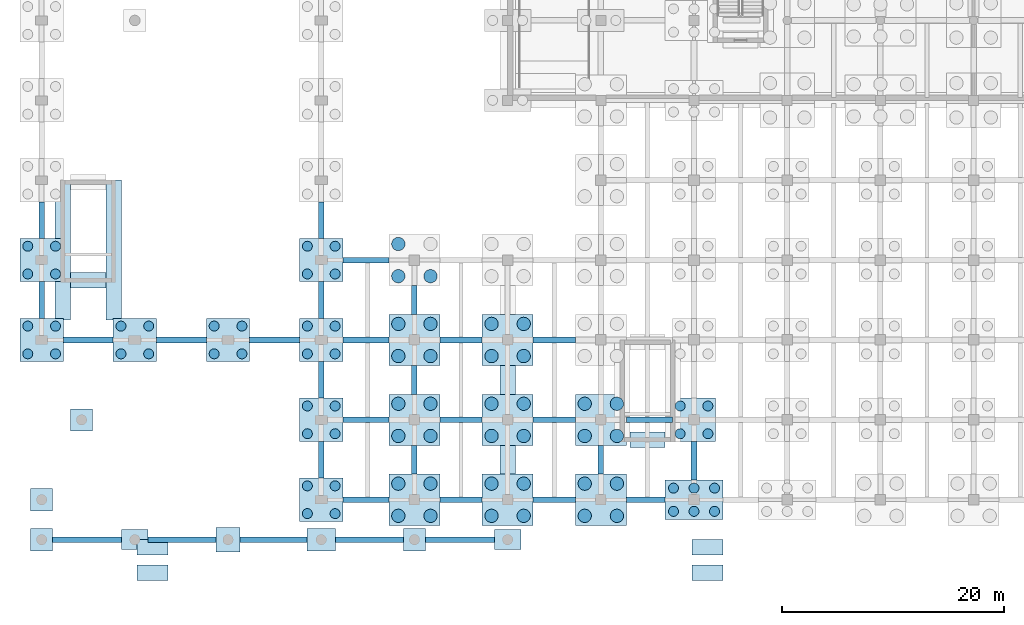
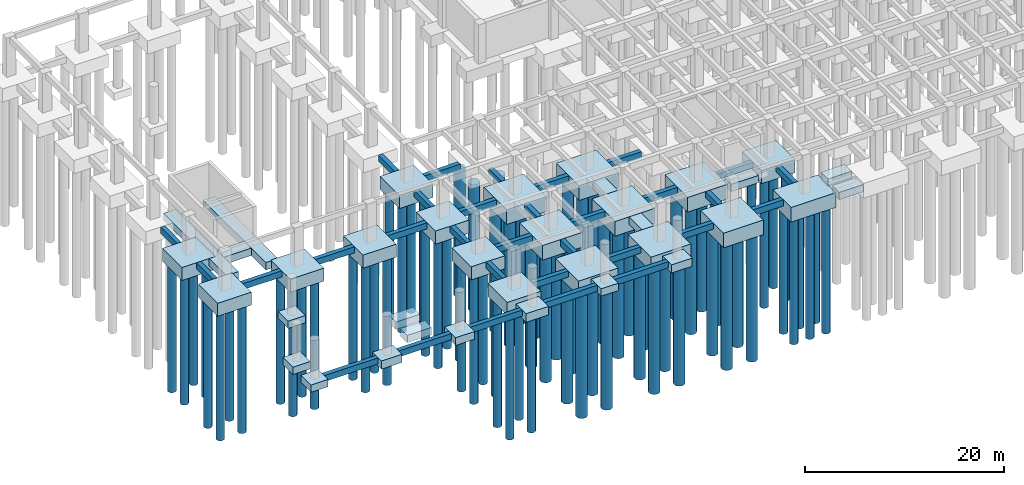
# One storey, part 1 of 26: 77 piles, 67 footings.
"""IFC4 building model written with IfcOpenShell, lengths in metres."""

from ifc_helpers import new_model, si_unit, direction, frame, origin, origin_2d, place, context, subcontext, project, spatial, rectangle, circle, extrude, material, material_profile, profile_set, type_object, element, save


model = new_model("IFC4")

# Units and contexts
model_context = context("Model", 3, precision=1e-05, world=origin(), true_north=direction((0.0, 1.0)))
body_context = subcontext(model_context, "Body", "Model", "MODEL_VIEW")
ifc_project = project(units=[si_unit("LENGTHUNIT", "METRE"), si_unit("AREAUNIT", "SQUARE_METRE"), si_unit("VOLUMEUNIT", "CUBIC_METRE"), si_unit("PLANEANGLEUNIT", "RADIAN"), si_unit("MASSUNIT", "GRAM", prefix="KILO")], contexts=[model_context])

# Site, building, storey
site_placement = place(None, origin())
site = spatial("IfcSite", under=ifc_project, at=site_placement, CompositionType="ELEMENT")
building_placement = place(site_placement, origin())
building = spatial("IfcBuilding", under=site, at=building_placement, Name="Kenerak Square Central Library", CompositionType="ELEMENT")
storey_placement = place(building_placement, frame((0.0, 0.0, -4.800048828125)))
storey = spatial("IfcBuildingStorey", under=building, at=storey_placement, Name="B1", CompositionType="ELEMENT", Elevation=-4.800048828125)

# Piles
ifc_material = material(Name="Concrete C40/50", Category="concrete")
ifc_material_profile_1 = material_profile(ifc_material, circle(Radius=0.60009765625, at=origin_2d()), Name="BP D1200")
ifc_profile_set_1 = profile_set([ifc_material_profile_1], Name="Concrete C40/50")
pile_type_1 = type_object("IfcPileType", Name="Bored Pile D1200 C40/50", PredefinedType="BORED", material=ifc_profile_set_1)
for number, where, z_axis, x_axis, name in (
    (1, (40.14990234375, 15.35009765625, -1.699951171875), (0.0, 0.0, -1.0), (1.0, 0.0, 0.0), "Bored Pile BP-1200 0081"),
    (2, (43.050048828125, 15.35009765625, -1.699951171875), (0.0, 0.0, -1.0), (1.0, 0.0, 0.0), "Bored Pile BP-1200 0082"),
    (3, (40.14990234375, 18.25, -1.699951171875), (0.0, 0.0, -1.0), (1.0, 0.0, 0.0), "Bored Pile BP-1200 0083"),
    (4, (43.050048828125, 18.25, -1.699951171875), (0.0, 0.0, -1.0), (1.0, 0.0, 0.0), "Bored Pile BP-1200 0084"),
    (5, (40.14990234375, 22.550048828125, -1.699951171875), (0.0, 0.0, -1.0), (1.0, 0.0, 0.0), "Bored Pile BP-1200 0085"),
    (6, (43.050048828125, 22.550048828125, -1.699951171875), (0.0, 0.0, -1.0), (1.0, 0.0, 0.0), "Bored Pile BP-1200 0086"),
    (7, (40.14990234375, 25.449951171875, -1.699951171875), (0.0, 0.0, -1.0), (1.0, 0.0, 0.0), "Bored Pile BP-1200 0087"),
    (8, (43.050048828125, 25.449951171875, -1.699951171875), (0.0, 0.0, -1.0), (1.0, 0.0, 0.0), "Bored Pile BP-1200 0088"),
    (9, (40.14990234375, 29.75, -1.699951171875), (0.0, 0.0, -1.0), (1.0, 0.0, 0.0), "Bored Pile BP-1200 0089"),
    (10, (43.050048828125, 29.75, -1.699951171875), (0.0, 0.0, -1.0), (1.0, 0.0, 0.0), "Bored Pile BP-1200 0090"),
    (11, (40.14990234375, 32.64990234375, -1.699951171875), (0.0, 0.0, -1.0), (1.0, 0.0, 0.0), "Bored Pile BP-1200 0091"),
    (12, (43.050048828125, 32.64990234375, -1.699951171875), (0.0, 0.0, -1.0), (1.0, 0.0, 0.0), "Bored Pile BP-1200 0092"),
    (13, (40.14990234375, 36.949951171875, -1.699951171875), (0.0, 0.0, -1.0), (1.0, 0.0, 0.0), "Bored Pile BP-1200 0093"),
    (14, (43.050048828125, 36.949951171875, -1.699951171875), (0.0, 0.0, -1.0), (1.0, 0.0, 0.0), "Bored Pile BP-1200 0094"),
    (15, (40.14990234375, 39.85009765625, -1.699951171875), (0.0, 0.0, -1.0), (1.0, 0.0, 0.0), "Bored Pile BP-1200 0095"),
    (16, (48.550048828125, 15.35009765625, -1.699951171875), (0.0, 0.0, -1.0), (1.0, 0.0, 0.0), "Bored Pile BP-1200 0105"),
    (17, (51.449951171875, 15.35009765625, -1.699951171875), (0.0, 0.0, -1.0), (1.0, 0.0, 0.0), "Bored Pile BP-1200 0106"),
    (18, (48.550048828125, 18.25, -1.699951171875), (0.0, 0.0, -1.0), (1.0, 0.0, 0.0), "Bored Pile BP-1200 0107"),
    (19, (51.449951171875, 18.25, -1.699951171875), (0.0, 0.0, -1.0), (1.0, 0.0, 0.0), "Bored Pile BP-1200 0108"),
    (20, (48.550048828125, 22.550048828125, -1.699951171875), (0.0, 0.0, -1.0), (1.0, 0.0, 0.0), "Bored Pile BP-1200 0109"),
    (21, (51.449951171875, 22.550048828125, -1.699951171875), (0.0, 0.0, -1.0), (1.0, 0.0, 0.0), "Bored Pile BP-1200 0110"),
    (22, (48.550048828125, 25.449951171875, -1.699951171875), (0.0, 0.0, -1.0), (1.0, 0.0, 0.0), "Bored Pile BP-1200 0111"),
    (23, (51.449951171875, 25.449951171875, -1.699951171875), (0.0, 0.0, -1.0), (1.0, 0.0, 0.0), "Bored Pile BP-1200 0112"),
    (24, (48.550048828125, 29.75, -1.699951171875), (0.0, 0.0, -1.0), (1.0, 0.0, 0.0), "Bored Pile BP-1200 0113"),
    (25, (51.449951171875, 29.75, -1.699951171875), (0.0, 0.0, -1.0), (1.0, 0.0, 0.0), "Bored Pile BP-1200 0114"),
    (26, (48.550048828125, 32.64990234375, -1.699951171875), (0.0, 0.0, -1.0), (1.0, 0.0, 0.0), "Bored Pile BP-1200 0115"),
    (27, (51.449951171875, 32.64990234375, -1.699951171875), (0.0, 0.0, -1.0), (1.0, 0.0, 0.0), "Bored Pile BP-1200 0116"),
    (28, (56.949951171875, 15.35009765625, -1.699951171875), (0.0, 0.0, -1.0), (1.0, 0.0, 0.0), "Bored Pile BP-1200 0147"),
    (29, (59.85009765625, 15.35009765625, -1.699951171875), (0.0, 0.0, -1.0), (1.0, 0.0, 0.0), "Bored Pile BP-1200 0148"),
    (30, (56.949951171875, 18.25, -1.699951171875), (0.0, 0.0, -1.0), (1.0, 0.0, 0.0), "Bored Pile BP-1200 0149"),
    (31, (59.85009765625, 18.25, -1.699951171875), (0.0, 0.0, -1.0), (1.0, 0.0, 0.0), "Bored Pile BP-1200 0150"),
    (32, (56.949951171875, 22.550048828125, -1.699951171875), (0.0, 0.0, -1.0), (1.0, 0.0, 0.0), "Bored Pile BP-1200 0151"),
    (33, (59.85009765625, 22.550048828125, -1.699951171875), (0.0, 0.0, -1.0), (1.0, 0.0, 0.0), "Bored Pile BP-1200 0152"),
    (34, (56.949951171875, 25.449951171875, -1.699951171875), (0.0, 0.0, -1.0), (1.0, 0.0, 0.0), "Bored Pile BP-1200 0153"),
    (35, (59.85009765625, 25.449951171875, -1.699951171875), (0.0, 0.0, -1.0), (1.0, 0.0, 0.0), "Bored Pile BP-1200 0154"),
):
    element("IfcPile", number, at=place(storey_placement, frame(where, z_axis=z_axis, x_axis=x_axis)), inside=storey, type_object=pile_type_1, Name=name, PredefinedType="BORED", context=body_context, shape_type="SweptSolid", body=[
        extrude(circle(Radius=0.60009765625, at=origin_2d()), origin(), (0.0, 0.0, 1.0), 15.5),
    ])
ifc_material_profile_2 = material_profile(ifc_material, circle(Radius=0.449951171875, at=origin_2d()), Name="BP D900")
ifc_profile_set_2 = profile_set([ifc_material_profile_2], Name="Concrete C40/50")
pile_type_2 = type_object("IfcPileType", Name="Bored Pile D900 C40/50", PredefinedType="BORED", material=ifc_profile_set_2)
for number, where, z_axis, x_axis, name in (
    (36, (6.75, 29.949951171875, -1.5), (0.0, 0.0, -1.0), (1.0, 0.0, 0.0), "Bored Pile BP-900 0001"),
    (37, (9.25, 29.949951171875, -1.5), (0.0, 0.0, -1.0), (1.0, 0.0, 0.0), "Bored Pile BP-900 0002"),
    (38, (6.75, 32.449951171875, -1.5), (0.0, 0.0, -1.0), (1.0, 0.0, 0.0), "Bored Pile BP-900 0003"),
    (39, (9.25, 32.449951171875, -1.5), (0.0, 0.0, -1.0), (1.0, 0.0, 0.0), "Bored Pile BP-900 0004"),
    (40, (6.75, 37.14990234375, -1.5), (0.0, 0.0, -1.0), (1.0, 0.0, 0.0), "Bored Pile BP-900 0005"),
    (41, (9.25, 37.14990234375, -1.5), (0.0, 0.0, -1.0), (1.0, 0.0, 0.0), "Bored Pile BP-900 0006"),
    (42, (6.75, 39.64990234375, -1.5), (0.0, 0.0, -1.0), (1.0, 0.0, 0.0), "Bored Pile BP-900 0007"),
    (43, (9.25, 39.64990234375, -1.5), (0.0, 0.0, -1.0), (1.0, 0.0, 0.0), "Bored Pile BP-900 0008"),
    (44, (15.14990234375, 29.949951171875, -1.5), (0.0, 0.0, -1.0), (1.0, 0.0, 0.0), "Bored Pile BP-900 0029"),
    (45, (17.64990234375, 29.949951171875, -1.5), (0.0, 0.0, -1.0), (1.0, 0.0, 0.0), "Bored Pile BP-900 0030"),
    (46, (15.14990234375, 32.449951171875, -1.5), (0.0, 0.0, -1.0), (1.0, 0.0, 0.0), "Bored Pile BP-900 0031"),
    (47, (17.64990234375, 32.449951171875, -1.5), (0.0, 0.0, -1.0), (1.0, 0.0, 0.0), "Bored Pile BP-900 0032"),
    (48, (23.550048828125, 29.949951171875, -1.5), (0.0, 0.0, -1.0), (1.0, 0.0, 0.0), "Bored Pile BP-900 0037"),
    (49, (26.050048828125, 29.949951171875, -1.5), (0.0, 0.0, -1.0), (1.0, 0.0, 0.0), "Bored Pile BP-900 0038"),
    (50, (23.550048828125, 32.449951171875, -1.5), (0.0, 0.0, -1.0), (1.0, 0.0, 0.0), "Bored Pile BP-900 0039"),
    (51, (26.050048828125, 32.449951171875, -1.5), (0.0, 0.0, -1.0), (1.0, 0.0, 0.0), "Bored Pile BP-900 0040"),
    (52, (31.949951171875, 15.550048828125, -1.5), (0.0, 0.0, -1.0), (1.0, 0.0, 0.0), "Bored Pile BP-900 0045"),
    (53, (34.449951171875, 15.550048828125, -1.5), (0.0, 0.0, -1.0), (1.0, 0.0, 0.0), "Bored Pile BP-900 0046"),
    (54, (31.949951171875, 18.050048828125, -1.5), (0.0, 0.0, -1.0), (1.0, 0.0, 0.0), "Bored Pile BP-900 0047"),
    (55, (34.449951171875, 18.050048828125, -1.5), (0.0, 0.0, -1.0), (1.0, 0.0, 0.0), "Bored Pile BP-900 0048"),
    (56, (31.949951171875, 22.75, -1.5), (0.0, 0.0, -1.0), (1.0, 0.0, 0.0), "Bored Pile BP-900 0049"),
    (57, (34.449951171875, 22.75, -1.5), (0.0, 0.0, -1.0), (1.0, 0.0, 0.0), "Bored Pile BP-900 0050"),
    (58, (31.949951171875, 25.25, -1.5), (0.0, 0.0, -1.0), (1.0, 0.0, 0.0), "Bored Pile BP-900 0051"),
    (59, (34.449951171875, 25.25, -1.5), (0.0, 0.0, -1.0), (1.0, 0.0, 0.0), "Bored Pile BP-900 0052"),
    (60, (31.949951171875, 29.949951171875, -1.5), (0.0, 0.0, -1.0), (1.0, 0.0, 0.0), "Bored Pile BP-900 0053"),
    (61, (34.449951171875, 29.949951171875, -1.5), (0.0, 0.0, -1.0), (1.0, 0.0, 0.0), "Bored Pile BP-900 0054"),
    (62, (31.949951171875, 32.449951171875, -1.5), (0.0, 0.0, -1.0), (1.0, 0.0, 0.0), "Bored Pile BP-900 0055"),
    (63, (34.449951171875, 32.449951171875, -1.5), (0.0, 0.0, -1.0), (1.0, 0.0, 0.0), "Bored Pile BP-900 0056"),
    (64, (31.949951171875, 37.14990234375, -1.5), (0.0, 0.0, -1.0), (1.0, 0.0, 0.0), "Bored Pile BP-900 0057"),
    (65, (34.449951171875, 37.14990234375, -1.5), (0.0, 0.0, -1.0), (1.0, 0.0, 0.0), "Bored Pile BP-900 0058"),
    (66, (31.949951171875, 39.64990234375, -1.5), (0.0, 0.0, -1.0), (1.0, 0.0, 0.0), "Bored Pile BP-900 0059"),
    (67, (34.449951171875, 39.64990234375, -1.5), (0.0, 0.0, -1.0), (1.0, 0.0, 0.0), "Bored Pile BP-900 0060"),
):
    element("IfcPile", number, at=place(storey_placement, frame(where, z_axis=z_axis, x_axis=x_axis)), inside=storey, type_object=pile_type_2, Name=name, PredefinedType="BORED", context=body_context, shape_type="SweptSolid", body=[
        extrude(circle(Radius=0.449951171875, at=origin_2d()), origin(), (0.0, 0.0, 1.0), 15.699951171875),
    ])
for number, where, z_axis, x_axis, name in (
    (68, (64.949951171875, 15.75, -1.699951171875), (0.0, 0.0, -1.0), (1.0, 0.0, 0.0), "Bored Pile BP-900 0203"),
    (69, (66.800048828125, 15.75, -1.699951171875), (0.0, 0.0, -1.0), (1.0, 0.0, 0.0), "Bored Pile BP-900 0204"),
    (70, (68.64990234375, 15.75, -1.699951171875), (0.0, 0.0, -1.0), (1.0, 0.0, 0.0), "Bored Pile BP-900 0205"),
    (71, (64.949951171875, 17.85009765625, -1.699951171875), (0.0, 0.0, -1.0), (1.0, 0.0, 0.0), "Bored Pile BP-900 0206"),
    (72, (66.800048828125, 17.85009765625, -1.699951171875), (0.0, 0.0, -1.0), (1.0, 0.0, 0.0), "Bored Pile BP-900 0207"),
    (73, (68.64990234375, 17.85009765625, -1.699951171875), (0.0, 0.0, -1.0), (1.0, 0.0, 0.0), "Bored Pile BP-900 0208"),
):
    element("IfcPile", number, at=place(storey_placement, frame(where, z_axis=z_axis, x_axis=x_axis)), inside=storey, type_object=pile_type_2, Name=name, PredefinedType="BORED", context=body_context, shape_type="SweptSolid", body=[
        extrude(circle(Radius=0.449951171875, at=origin_2d()), origin(), (0.0, 0.0, 1.0), 15.5),
    ])
for number, where, z_axis, x_axis, name in (
    (74, (65.550048828125, 22.75, -1.5), (0.0, 0.0, -1.0), (1.0, 0.0, 0.0), "Bored Pile BP-900 0209"),
    (75, (68.050048828125, 22.75, -1.5), (0.0, 0.0, -1.0), (1.0, 0.0, 0.0), "Bored Pile BP-900 0210"),
    (76, (65.550048828125, 25.25, -1.5), (0.0, 0.0, -1.0), (1.0, 0.0, 0.0), "Bored Pile BP-900 0211"),
    (77, (68.050048828125, 25.25, -1.5), (0.0, 0.0, -1.0), (1.0, 0.0, 0.0), "Bored Pile BP-900 0212"),
):
    element("IfcPile", number, at=place(storey_placement, frame(where, z_axis=z_axis, x_axis=x_axis)), inside=storey, type_object=pile_type_2, Name=name, PredefinedType="BORED", context=body_context, shape_type="SweptSolid", body=[
        extrude(circle(Radius=0.449951171875, at=origin_2d()), origin(), (0.0, 0.0, 1.0), 15.699951171875),
    ])

# Footings
footing_type_1 = type_object("IfcFootingType", Name="Colonnade Pad Footing PF-01 2000x2000x900", PredefinedType="PAD_FOOTING", material=ifc_material)
for number, where, z_axis, x_axis, name in (
    (78, (8.0, 13.199951171875, -0.89990234375), (0.0, 0.0, 1.0), (1.0, 0.0, 0.0), "Pad Footing PF-01 001"),
    (79, (41.60009765625, 13.199951171875, -0.89990234375), (0.0, 0.0, 1.0), (1.0, 0.0, 0.0), "Pad Footing PF-01 005"),
    (80, (8.0, 16.800048828125, -0.89990234375), (0.0, 0.0, 1.0), (1.0, 0.0, 0.0), "Pad Footing PF-01 CSUB01"),
    (81, (11.60009765625, 24.0, -0.89990234375), (0.0, 0.0, 1.0), (1.0, 0.0, 0.0), "Pad Footing PF-01 CSUB02"),
):
    element("IfcFooting", number, at=place(storey_placement, frame(where, z_axis=z_axis, x_axis=x_axis)), inside=storey, type_object=footing_type_1, Name=name, PredefinedType="PAD_FOOTING", context=body_context, shape_type="SweptSolid", body=[
        extrude(rectangle(XDim=2.0, YDim=2.0, at=origin_2d()), origin(), (0.0, 0.0, 1.0), 0.89990234375),
    ])
footing_type_2 = type_object("IfcFootingType", Name="Colonnade Pad Footing PF-02 2400x1800x1000", PredefinedType="PAD_FOOTING", material=ifc_material)
for number, where, z_axis, x_axis, name in (
    (82, (16.39990234375, 13.199951171875, -1.0), (0.0, 0.0, 1.0), (1.0, 0.0, 0.0), "Pad Footing PF-02 002"),
    (83, (50.0, 13.199951171875, -1.0), (0.0, 0.0, 1.0), (1.0, 0.0, 0.0), "Pad Footing PF-02 006"),
):
    element("IfcFooting", number, at=place(storey_placement, frame(where, z_axis=z_axis, x_axis=x_axis)), inside=storey, type_object=footing_type_2, Name=name, PredefinedType="PAD_FOOTING", context=body_context, shape_type="SweptSolid", body=[
        extrude(rectangle(XDim=2.39990234375, YDim=1.800048828125, at=origin_2d()), origin(), (0.0, 0.0, 1.0), 1.0),
    ])
footing_type_3 = type_object("IfcFootingType", Name="Colonnade Pad Footing PF-03 2200x2200x950", PredefinedType="PAD_FOOTING", material=ifc_material)
footing_1_placement = place(storey_placement, frame((24.800048828125, 13.199951171875, -0.94970703125), z_axis=(0.0, 0.0, 1.0), x_axis=(1.0, 0.0, 0.0)))
element("IfcFooting", 84, at=footing_1_placement, inside=storey, type_object=footing_type_3, Name="Pad Footing PF-03 003", PredefinedType="PAD_FOOTING", context=body_context, shape_type="SweptSolid", body=[
    extrude(rectangle(XDim=2.199951171875, YDim=2.199951171875, at=origin_2d()), origin(), (0.0, 0.0, 1.0), 0.949951171875),
])
footing_type_4 = type_object("IfcFootingType", Name="Colonnade Pad Footing PF-04 2600x2000x1050", PredefinedType="PAD_FOOTING", material=ifc_material)
footing_2_placement = place(storey_placement, frame((33.199951171875, 13.199951171875, -1.0498046875), z_axis=(0.0, 0.0, 1.0), x_axis=(1.0, 0.0, 0.0)))
element("IfcFooting", 85, at=footing_2_placement, inside=storey, type_object=footing_type_4, Name="Pad Footing PF-04 004", PredefinedType="PAD_FOOTING", context=body_context, shape_type="SweptSolid", body=[
    extrude(rectangle(XDim=2.60009765625, YDim=2.0, at=origin_2d()), origin(), (0.0, 0.0, 1.0), 1.050048828125),
])
footing_type_5 = type_object("IfcFootingType", Name="Ground Tie Beam GB-01 500x750", PredefinedType="FOOTING_BEAM", material=ifc_material)
footing_3_placement = place(storey_placement, frame((12.10009765625, 13.199951171875, -0.75), z_axis=(0.0, 0.0, 1.0), x_axis=(1.0, 0.0, 0.0)))
element("IfcFooting", 86, at=footing_3_placement, inside=storey, type_object=footing_type_5, Name="Ground Tie Beam 001", PredefinedType="FOOTING_BEAM", context=body_context, shape_type="SweptSolid", body=[
    extrude(rectangle(XDim=6.199951171875, YDim=0.5, at=origin_2d()), origin(), (0.0, 0.0, 1.0), 0.75),
])
footing_4_placement = place(storey_placement, frame((12.199951171875, 31.199951171875, -0.75), z_axis=(0.0, 0.0, 1.0), x_axis=(1.0, 0.0, 0.0)))
element("IfcFooting", 87, at=footing_4_placement, inside=storey, type_object=footing_type_5, Name="Ground Tie Beam 002", PredefinedType="FOOTING_BEAM", context=body_context, shape_type="SweptSolid", body=[
    extrude(rectangle(XDim=4.5, YDim=0.5, at=origin_2d()), origin(), (0.0, 0.0, 1.0), 0.75),
])
for number, where, z_axis, x_axis, name in (
    (88, (8.0, 34.800048828125, -0.75), (0.0, 0.0, 1.0), (1.0, 0.0, 0.0), "Ground Tie Beam 003"),
    (89, (8.0, 42.0, -0.75), (0.0, 0.0, 1.0), (1.0, 0.0, 0.0), "Ground Tie Beam 004"),
):
    element("IfcFooting", number, at=place(storey_placement, frame(where, z_axis=z_axis, x_axis=x_axis)), inside=storey, type_object=footing_type_5, Name=name, PredefinedType="FOOTING_BEAM", context=body_context, shape_type="SweptSolid", body=[
        extrude(rectangle(XDim=0.5, YDim=3.300048828125, at=origin_2d()), origin(), (0.0, 0.0, 1.0), 0.75),
    ])
footing_5_placement = place(storey_placement, frame((20.64990234375, 13.199951171875, -0.75), z_axis=(0.0, 0.0, 1.0), x_axis=(1.0, 0.0, 0.0)))
element("IfcFooting", 90, at=footing_5_placement, inside=storey, type_object=footing_type_5, Name="Ground Tie Beam 010", PredefinedType="FOOTING_BEAM", context=body_context, shape_type="SweptSolid", body=[
    extrude(rectangle(XDim=6.10009765625, YDim=0.5, at=origin_2d()), origin(), (0.0, 0.0, 1.0), 0.75),
])
footing_6_placement = place(storey_placement, frame((20.60009765625, 31.199951171875, -0.75), z_axis=(0.0, 0.0, 1.0), x_axis=(1.0, 0.0, 0.0)))
element("IfcFooting", 91, at=footing_6_placement, inside=storey, type_object=footing_type_5, Name="Ground Tie Beam 011", PredefinedType="FOOTING_BEAM", context=body_context, shape_type="SweptSolid", body=[
    extrude(rectangle(XDim=4.5, YDim=0.5, at=origin_2d()), origin(), (0.0, 0.0, 1.0), 0.75),
])
footing_7_placement = place(storey_placement, frame((28.89990234375, 13.199951171875, -0.75), z_axis=(0.0, 0.0, 1.0), x_axis=(1.0, 0.0, 0.0)))
element("IfcFooting", 92, at=footing_7_placement, inside=storey, type_object=footing_type_5, Name="Ground Tie Beam 013", PredefinedType="FOOTING_BEAM", context=body_context, shape_type="SweptSolid", body=[
    extrude(rectangle(XDim=6.0, YDim=0.5, at=origin_2d()), origin(), (0.0, 0.0, 1.0), 0.75),
])
footing_8_placement = place(storey_placement, frame((29.0, 31.199951171875, -0.75), z_axis=(0.0, 0.0, 1.0), x_axis=(1.0, 0.0, 0.0)))
element("IfcFooting", 93, at=footing_8_placement, inside=storey, type_object=footing_type_5, Name="Ground Tie Beam 014", PredefinedType="FOOTING_BEAM", context=body_context, shape_type="SweptSolid", body=[
    extrude(rectangle(XDim=4.5, YDim=0.5, at=origin_2d()), origin(), (0.0, 0.0, 1.0), 0.75),
])
footing_9_placement = place(storey_placement, frame((37.550048828125, 13.199951171875, -0.75), z_axis=(0.0, 0.0, 1.0), x_axis=(1.0, 0.0, 0.0)))
element("IfcFooting", 94, at=footing_9_placement, inside=storey, type_object=footing_type_5, Name="Ground Tie Beam 016", PredefinedType="FOOTING_BEAM", context=body_context, shape_type="SweptSolid", body=[
    extrude(rectangle(XDim=6.10009765625, YDim=0.5, at=origin_2d()), origin(), (0.0, 0.0, 1.0), 0.75),
])
footing_10_placement = place(storey_placement, frame((37.22509765625, 16.800048828125, -0.75), z_axis=(0.0, 0.0, 1.0), x_axis=(1.0, 0.0, 0.0)))
element("IfcFooting", 95, at=footing_10_placement, inside=storey, type_object=footing_type_5, Name="Ground Tie Beam 017", PredefinedType="FOOTING_BEAM", context=body_context, shape_type="SweptSolid", body=[
    extrude(rectangle(XDim=4.14990234375, YDim=0.5, at=origin_2d()), origin(), (0.0, 0.0, 1.0), 0.75),
])
footing_11_placement = place(storey_placement, frame((33.199951171875, 20.39990234375, -0.75), z_axis=(0.0, 0.0, 1.0), x_axis=(1.0, 0.0, 0.0)))
element("IfcFooting", 96, at=footing_11_placement, inside=storey, type_object=footing_type_5, Name="Ground Tie Beam 018", PredefinedType="FOOTING_BEAM", context=body_context, shape_type="SweptSolid", body=[
    extrude(rectangle(XDim=0.5, YDim=3.300048828125, at=origin_2d()), origin(), (0.0, 0.0, 1.0), 0.75),
])
footing_12_placement = place(storey_placement, frame((37.22509765625, 24.0, -0.75), z_axis=(0.0, 0.0, 1.0), x_axis=(1.0, 0.0, 0.0)))
element("IfcFooting", 97, at=footing_12_placement, inside=storey, type_object=footing_type_5, Name="Ground Tie Beam 019", PredefinedType="FOOTING_BEAM", context=body_context, shape_type="SweptSolid", body=[
    extrude(rectangle(XDim=4.14990234375, YDim=0.5, at=origin_2d()), origin(), (0.0, 0.0, 1.0), 0.75),
])
footing_13_placement = place(storey_placement, frame((33.199951171875, 27.60009765625, -0.75), z_axis=(0.0, 0.0, 1.0), x_axis=(1.0, 0.0, 0.0)))
element("IfcFooting", 98, at=footing_13_placement, inside=storey, type_object=footing_type_5, Name="Ground Tie Beam 020", PredefinedType="FOOTING_BEAM", context=body_context, shape_type="SweptSolid", body=[
    extrude(rectangle(XDim=0.5, YDim=3.300048828125, at=origin_2d()), origin(), (0.0, 0.0, 1.0), 0.75),
])
footing_14_placement = place(storey_placement, frame((37.22509765625, 31.199951171875, -0.75), z_axis=(0.0, 0.0, 1.0), x_axis=(1.0, 0.0, 0.0)))
element("IfcFooting", 99, at=footing_14_placement, inside=storey, type_object=footing_type_5, Name="Ground Tie Beam 021", PredefinedType="FOOTING_BEAM", context=body_context, shape_type="SweptSolid", body=[
    extrude(rectangle(XDim=4.14990234375, YDim=0.5, at=origin_2d()), origin(), (0.0, 0.0, 1.0), 0.75),
])
footing_15_placement = place(storey_placement, frame((33.199951171875, 34.800048828125, -0.75), z_axis=(0.0, 0.0, 1.0), x_axis=(1.0, 0.0, 0.0)))
element("IfcFooting", 100, at=footing_15_placement, inside=storey, type_object=footing_type_5, Name="Ground Tie Beam 022", PredefinedType="FOOTING_BEAM", context=body_context, shape_type="SweptSolid", body=[
    extrude(rectangle(XDim=0.5, YDim=3.300048828125, at=origin_2d()), origin(), (0.0, 0.0, 1.0), 0.75),
])
footing_16_placement = place(storey_placement, frame((37.22509765625, 38.39990234375, -0.75), z_axis=(0.0, 0.0, 1.0), x_axis=(1.0, 0.0, 0.0)))
element("IfcFooting", 101, at=footing_16_placement, inside=storey, type_object=footing_type_5, Name="Ground Tie Beam 023", PredefinedType="FOOTING_BEAM", context=body_context, shape_type="SweptSolid", body=[
    extrude(rectangle(XDim=4.14990234375, YDim=0.5, at=origin_2d()), origin(), (0.0, 0.0, 1.0), 0.75),
])
footing_17_placement = place(storey_placement, frame((33.199951171875, 42.0, -0.75), z_axis=(0.0, 0.0, 1.0), x_axis=(1.0, 0.0, 0.0)))
element("IfcFooting", 102, at=footing_17_placement, inside=storey, type_object=footing_type_5, Name="Ground Tie Beam 024", PredefinedType="FOOTING_BEAM", context=body_context, shape_type="SweptSolid", body=[
    extrude(rectangle(XDim=0.5, YDim=3.300048828125, at=origin_2d()), origin(), (0.0, 0.0, 1.0), 0.75),
])
footing_18_placement = place(storey_placement, frame((45.699951171875, 13.199951171875, -0.75), z_axis=(0.0, 0.0, 1.0), x_axis=(1.0, 0.0, 0.0)))
element("IfcFooting", 103, at=footing_18_placement, inside=storey, type_object=footing_type_5, Name="Ground Tie Beam 029", PredefinedType="FOOTING_BEAM", context=body_context, shape_type="SweptSolid", body=[
    extrude(rectangle(XDim=6.199951171875, YDim=0.5, at=origin_2d()), origin(), (0.0, 0.0, 1.0), 0.75),
])
footing_19_placement = place(storey_placement, frame((45.800048828125, 16.800048828125, -0.75), z_axis=(0.0, 0.0, 1.0), x_axis=(1.0, 0.0, 0.0)))
element("IfcFooting", 104, at=footing_19_placement, inside=storey, type_object=footing_type_5, Name="Ground Tie Beam 030", PredefinedType="FOOTING_BEAM", context=body_context, shape_type="SweptSolid", body=[
    extrude(rectangle(XDim=3.800048828125, YDim=0.5, at=origin_2d()), origin(), (0.0, 0.0, 1.0), 0.75),
])
footing_20_placement = place(storey_placement, frame((41.60009765625, 20.39990234375, -0.75), z_axis=(0.0, 0.0, 1.0), x_axis=(1.0, 0.0, 0.0)))
element("IfcFooting", 105, at=footing_20_placement, inside=storey, type_object=footing_type_5, Name="Ground Tie Beam 031", PredefinedType="FOOTING_BEAM", context=body_context, shape_type="SweptSolid", body=[
    extrude(rectangle(XDim=0.5, YDim=2.60009765625, at=origin_2d()), origin(), (0.0, 0.0, 1.0), 0.75),
])
footing_21_placement = place(storey_placement, frame((45.800048828125, 24.0, -0.75), z_axis=(0.0, 0.0, 1.0), x_axis=(1.0, 0.0, 0.0)))
element("IfcFooting", 106, at=footing_21_placement, inside=storey, type_object=footing_type_5, Name="Ground Tie Beam 032", PredefinedType="FOOTING_BEAM", context=body_context, shape_type="SweptSolid", body=[
    extrude(rectangle(XDim=3.800048828125, YDim=0.5, at=origin_2d()), origin(), (0.0, 0.0, 1.0), 0.75),
])
footing_22_placement = place(storey_placement, frame((41.60009765625, 27.60009765625, -0.75), z_axis=(0.0, 0.0, 1.0), x_axis=(1.0, 0.0, 0.0)))
element("IfcFooting", 107, at=footing_22_placement, inside=storey, type_object=footing_type_5, Name="Ground Tie Beam 033", PredefinedType="FOOTING_BEAM", context=body_context, shape_type="SweptSolid", body=[
    extrude(rectangle(XDim=0.5, YDim=2.60009765625, at=origin_2d()), origin(), (0.0, 0.0, 1.0), 0.75),
])
footing_23_placement = place(storey_placement, frame((45.800048828125, 31.199951171875, -0.75), z_axis=(0.0, 0.0, 1.0), x_axis=(1.0, 0.0, 0.0)))
element("IfcFooting", 108, at=footing_23_placement, inside=storey, type_object=footing_type_5, Name="Ground Tie Beam 034", PredefinedType="FOOTING_BEAM", context=body_context, shape_type="SweptSolid", body=[
    extrude(rectangle(XDim=3.800048828125, YDim=0.5, at=origin_2d()), origin(), (0.0, 0.0, 1.0), 0.75),
])
footing_24_placement = place(storey_placement, frame((41.60009765625, 34.800048828125, -0.75), z_axis=(0.0, 0.0, 1.0), x_axis=(1.0, 0.0, 0.0)))
element("IfcFooting", 109, at=footing_24_placement, inside=storey, type_object=footing_type_5, Name="Ground Tie Beam 035", PredefinedType="FOOTING_BEAM", context=body_context, shape_type="SweptSolid", body=[
    extrude(rectangle(XDim=0.5, YDim=2.60009765625, at=origin_2d()), origin(), (0.0, 0.0, 1.0), 0.75),
])
for number, where, z_axis, x_axis, name in (
    (110, (54.199951171875, 16.800048828125, -0.75), (0.0, 0.0, 1.0), (1.0, 0.0, 0.0), "Ground Tie Beam 043"),
    (111, (54.199951171875, 24.0, -0.75), (0.0, 0.0, 1.0), (1.0, 0.0, 0.0), "Ground Tie Beam 044"),
    (112, (54.199951171875, 31.199951171875, -0.75), (0.0, 0.0, 1.0), (1.0, 0.0, 0.0), "Ground Tie Beam 045"),
):
    element("IfcFooting", number, at=place(storey_placement, frame(where, z_axis=z_axis, x_axis=x_axis)), inside=storey, type_object=footing_type_5, Name=name, PredefinedType="FOOTING_BEAM", context=body_context, shape_type="SweptSolid", body=[
        extrude(rectangle(XDim=3.800048828125, YDim=0.5, at=origin_2d()), origin(), (0.0, 0.0, 1.0), 0.75),
    ])
footing_25_placement = place(storey_placement, frame((62.449951171875, 16.800048828125, -0.75), z_axis=(0.0, 0.0, 1.0), x_axis=(1.0, 0.0, 0.0)))
element("IfcFooting", 113, at=footing_25_placement, inside=storey, type_object=footing_type_5, Name="Ground Tie Beam 054", PredefinedType="FOOTING_BEAM", context=body_context, shape_type="SweptSolid", body=[
    extrude(rectangle(XDim=3.5, YDim=0.5, at=origin_2d()), origin(), (0.0, 0.0, 1.0), 0.75),
])
footing_26_placement = place(storey_placement, frame((58.39990234375, 20.39990234375, -0.75), z_axis=(0.0, 0.0, 1.0), x_axis=(1.0, 0.0, 0.0)))
element("IfcFooting", 114, at=footing_26_placement, inside=storey, type_object=footing_type_5, Name="Ground Tie Beam 055", PredefinedType="FOOTING_BEAM", context=body_context, shape_type="SweptSolid", body=[
    extrude(rectangle(XDim=0.5, YDim=2.60009765625, at=origin_2d()), origin(), (0.0, 0.0, 1.0), 0.75),
])
footing_27_placement = place(storey_placement, frame((62.77490234375, 24.0, -0.75), z_axis=(0.0, 0.0, 1.0), x_axis=(1.0, 0.0, 0.0)))
element("IfcFooting", 115, at=footing_27_placement, inside=storey, type_object=footing_type_5, Name="Ground Tie Beam 056", PredefinedType="FOOTING_BEAM", context=body_context, shape_type="SweptSolid", body=[
    extrude(rectangle(XDim=4.14990234375, YDim=0.5, at=origin_2d()), origin(), (0.0, 0.0, 1.0), 0.75),
])
footing_28_placement = place(storey_placement, frame((66.800048828125, 20.324951171875, -0.75), z_axis=(0.0, 0.0, 1.0), x_axis=(1.0, 0.0, 0.0)))
element("IfcFooting", 116, at=footing_28_placement, inside=storey, type_object=footing_type_5, Name="Ground Tie Beam 080", PredefinedType="FOOTING_BEAM", context=body_context, shape_type="SweptSolid", body=[
    extrude(rectangle(XDim=0.5, YDim=3.449951171875, at=origin_2d()), origin(), (0.0, 0.0, 1.0), 0.75),
])
footing_type_6 = type_object("IfcFootingType", Name="Pile Cap PC-03 3900x3900x1600", PredefinedType="PILE_CAP", material=ifc_material)
for number, where, z_axis, x_axis, name in (
    (117, (8.0, 31.199951171875, -1.60009765625), (0.0, 0.0, 1.0), (1.0, 0.0, 0.0), "Pile Cap PC-03 001"),
    (118, (8.0, 38.39990234375, -1.60009765625), (0.0, 0.0, 1.0), (1.0, 0.0, 0.0), "Pile Cap PC-03 002"),
    (119, (16.39990234375, 31.199951171875, -1.60009765625), (0.0, 0.0, 1.0), (1.0, 0.0, 0.0), "Pile Cap PC-03 008"),
    (120, (24.800048828125, 31.199951171875, -1.60009765625), (0.0, 0.0, 1.0), (1.0, 0.0, 0.0), "Pile Cap PC-03 010"),
    (121, (33.199951171875, 16.800048828125, -1.60009765625), (0.0, 0.0, 1.0), (1.0, 0.0, 0.0), "Pile Cap PC-03 012"),
    (122, (33.199951171875, 24.0, -1.60009765625), (0.0, 0.0, 1.0), (1.0, 0.0, 0.0), "Pile Cap PC-03 013"),
    (123, (33.199951171875, 31.199951171875, -1.60009765625), (0.0, 0.0, 1.0), (1.0, 0.0, 0.0), "Pile Cap PC-03 014"),
    (124, (33.199951171875, 38.39990234375, -1.60009765625), (0.0, 0.0, 1.0), (1.0, 0.0, 0.0), "Pile Cap PC-03 015"),
    (125, (66.800048828125, 24.0, -1.60009765625), (0.0, 0.0, 1.0), (1.0, 0.0, 0.0), "Pile Cap PC-03 057"),
):
    element("IfcFooting", number, at=place(storey_placement, frame(where, z_axis=z_axis, x_axis=x_axis)), inside=storey, type_object=footing_type_6, Name=name, PredefinedType="PILE_CAP", context=body_context, shape_type="SweptSolid", body=[
        extrude(rectangle(XDim=3.89990234375, YDim=3.89990234375, at=origin_2d()), origin(), (0.0, 0.0, 1.0), 1.60009765625),
    ])
footing_type_7 = type_object("IfcFootingType", Name="Pile Cap PC-04 4600x4600x1800", PredefinedType="PILE_CAP", material=ifc_material)
for number, where, z_axis, x_axis, name in (
    (126, (41.60009765625, 16.800048828125, -1.7998046875), (0.0, 0.0, 1.0), (1.0, 0.0, 0.0), "Pile Cap PC-04 021"),
    (127, (41.60009765625, 24.0, -1.7998046875), (0.0, 0.0, 1.0), (1.0, 0.0, 0.0), "Pile Cap PC-04 022"),
    (128, (41.60009765625, 31.199951171875, -1.7998046875), (0.0, 0.0, 1.0), (1.0, 0.0, 0.0), "Pile Cap PC-04 023"),
    (129, (50.0, 16.800048828125, -1.7998046875), (0.0, 0.0, 1.0), (1.0, 0.0, 0.0), "Pile Cap PC-04 029"),
    (130, (50.0, 24.0, -1.7998046875), (0.0, 0.0, 1.0), (1.0, 0.0, 0.0), "Pile Cap PC-04 030"),
    (131, (50.0, 31.199951171875, -1.7998046875), (0.0, 0.0, 1.0), (1.0, 0.0, 0.0), "Pile Cap PC-04 031"),
    (132, (58.39990234375, 16.800048828125, -1.7998046875), (0.0, 0.0, 1.0), (1.0, 0.0, 0.0), "Pile Cap PC-04 042"),
    (133, (58.39990234375, 24.0, -1.7998046875), (0.0, 0.0, 1.0), (1.0, 0.0, 0.0), "Pile Cap PC-04 043"),
):
    element("IfcFooting", number, at=place(storey_placement, frame(where, z_axis=z_axis, x_axis=x_axis)), inside=storey, type_object=footing_type_7, Name=name, PredefinedType="PILE_CAP", context=body_context, shape_type="SweptSolid", body=[
        extrude(rectangle(XDim=4.60009765625, YDim=4.60009765625, at=origin_2d()), origin(), (0.0, 0.0, 1.0), 1.800048828125),
    ])
footing_type_8 = type_object("IfcFootingType", Name="Pile Cap PC-05 5200x3600x1800", PredefinedType="PILE_CAP", material=ifc_material)
footing_29_placement = place(storey_placement, frame((66.800048828125, 16.800048828125, -1.7998046875), z_axis=(0.0, 0.0, 1.0), x_axis=(1.0, 0.0, 0.0)))
element("IfcFooting", 134, at=footing_29_placement, inside=storey, type_object=footing_type_8, Name="Pile Cap PC-05 056", PredefinedType="PILE_CAP", context=body_context, shape_type="SweptSolid", body=[
    extrude(rectangle(XDim=5.199951171875, YDim=3.60009765625, at=origin_2d()), origin(), (0.0, 0.0, 1.0), 1.800048828125),
])
footing_type_9 = type_object("IfcFootingType", Name="Wall Strip Footing SF-01 1400x900", PredefinedType="STRIP_FOOTING", material=ifc_material)
for number, where, z_axis, x_axis, name in (
    (135, (50.0, 20.39990234375, -0.89990234375), (0.0, 0.0, 1.0), (1.0, 0.0, 0.0), "Strip Footing SF-01 002"),
    (136, (50.0, 27.60009765625, -0.89990234375), (0.0, 0.0, 1.0), (1.0, 0.0, 0.0), "Strip Footing SF-01 003"),
):
    element("IfcFooting", number, at=place(storey_placement, frame(where, z_axis=z_axis, x_axis=x_axis)), inside=storey, type_object=footing_type_9, Name=name, PredefinedType="STRIP_FOOTING", context=body_context, shape_type="SweptSolid", body=[
        extrude(rectangle(XDim=1.39990234375, YDim=2.60009765625, at=origin_2d()), origin(), (0.0, 0.0, 1.0), 0.89990234375),
    ])
footing_30_placement = place(storey_placement, frame((62.60009765625, 22.199951171875, -0.89990234375), z_axis=(0.0, 0.0, 1.0), x_axis=(1.0, 0.0, 0.0)))
element("IfcFooting", 137, at=footing_30_placement, inside=storey, type_object=footing_type_9, Name="Strip Footing SF-01 SFCW-C4 S", PredefinedType="STRIP_FOOTING", context=body_context, shape_type="SweptSolid", body=[
    extrude(rectangle(XDim=3.159912109375, YDim=1.39990234375, at=origin_2d()), origin(), (0.0, 0.0, 1.0), 0.89990234375),
])
for number, where, z_axis, x_axis, name in (
    (138, (9.919921875, 39.300048828125, -0.89990234375), (0.0, 0.0, 1.0), (1.0, 0.0, 0.0), "Strip Footing SF-01 SFCW-C6 W"),
    (139, (14.47998046875, 39.300048828125, -0.89990234375), (0.0, 0.0, 1.0), (1.0, 0.0, 0.0), "Strip Footing SF-01 SFCW-C6 E"),
):
    element("IfcFooting", number, at=place(storey_placement, frame(where, z_axis=z_axis, x_axis=x_axis)), inside=storey, type_object=footing_type_9, Name=name, PredefinedType="STRIP_FOOTING", context=body_context, shape_type="SweptSolid", body=[
        extrude(rectangle(XDim=1.39990234375, YDim=12.60009765625, at=origin_2d()), origin(), (0.0, 0.0, 1.0), 0.89990234375),
    ])
footing_31_placement = place(storey_placement, frame((12.199951171875, 36.60009765625, -0.89990234375), z_axis=(0.0, 0.0, 1.0), x_axis=(1.0, 0.0, 0.0)))
element("IfcFooting", 140, at=footing_31_placement, inside=storey, type_object=footing_type_9, Name="Strip Footing SF-01 SFCW-C6 S", PredefinedType="STRIP_FOOTING", context=body_context, shape_type="SweptSolid", body=[
    extrude(rectangle(XDim=3.159912109375, YDim=1.39990234375, at=origin_2d()), origin(), (0.0, 0.0, 1.0), 0.89990234375),
])
for number, where, z_axis, x_axis, name in (
    (141, (68.0, 10.199951171875, 3.440185546875), (0.0, 0.0, 1.0), (1.0, 0.0, 0.0), "Plaza Ramp Toe Strip Footing PR-01"),
    (142, (68.0, 12.5, 3.68017578125), (0.0, 0.0, 1.0), (1.0, 0.0, 0.0), "Plaza Ramp Head Strip Footing PR-01"),
    (143, (18.0, 10.199951171875, 3.440185546875), (0.0, 0.0, 1.0), (1.0, 0.0, 0.0), "Plaza Ramp Toe Strip Footing PR-03"),
    (144, (18.0, 12.5, 3.68017578125), (0.0, 0.0, 1.0), (1.0, 0.0, 0.0), "Plaza Ramp Head Strip Footing PR-03"),
):
    element("IfcFooting", number, at=place(storey_placement, frame(where, z_axis=z_axis, x_axis=x_axis)), inside=storey, type_object=footing_type_9, Name=name, PredefinedType="STRIP_FOOTING", context=body_context, shape_type="SweptSolid", body=[
        extrude(rectangle(XDim=2.800048828125, YDim=1.39990234375, at=origin_2d()), origin(), (0.0, 0.0, 1.0), 0.89990234375),
    ])

save(model, "model.ifc")
